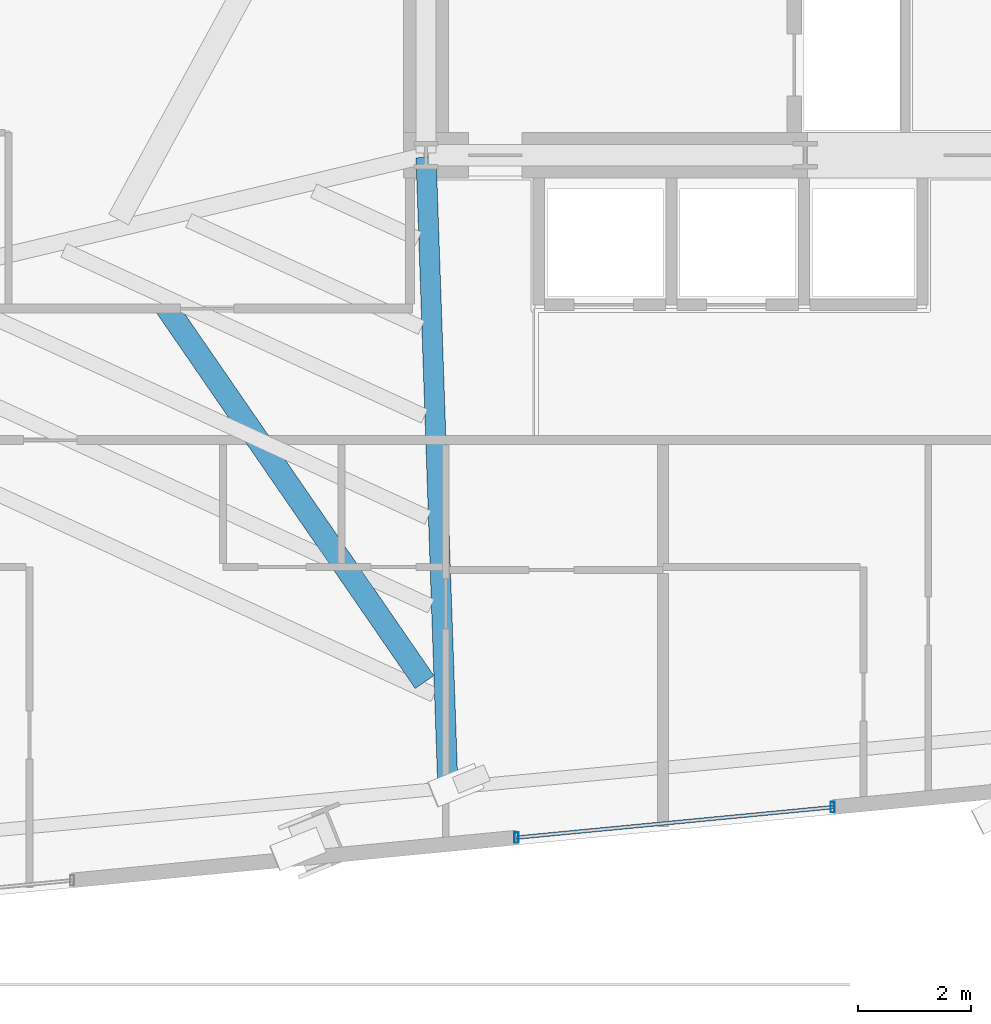
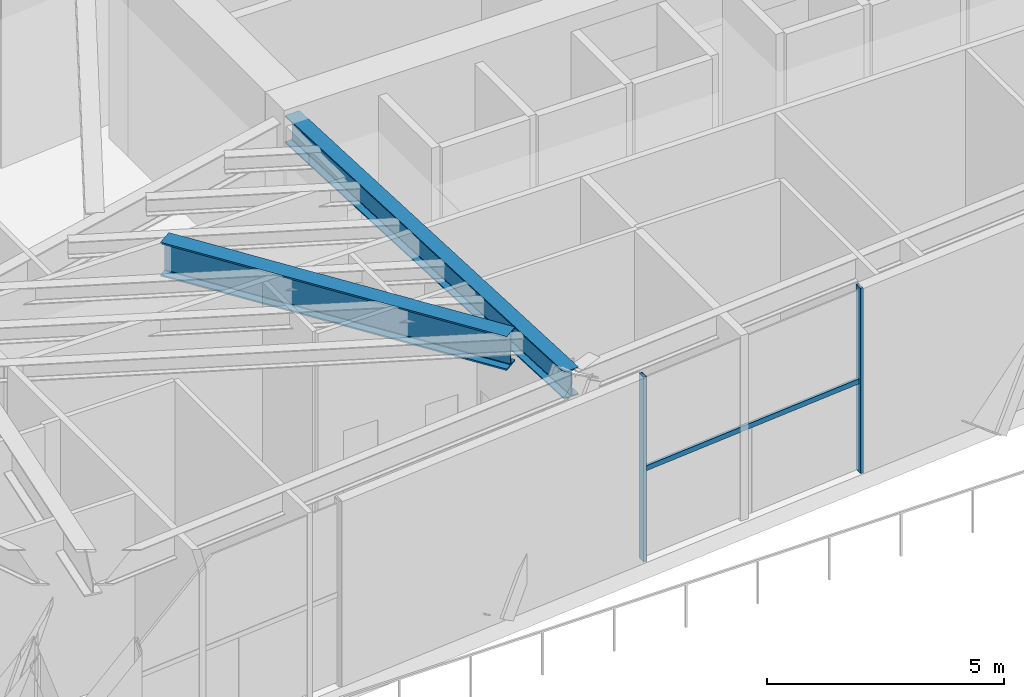
# One storey, part 4 of 28: 3 members, 2 beams, 1 element without a shape of its own.
"""IFC4 building model written with IfcOpenShell, lengths in metres."""

from ifc_helpers import new_model, si_unit, direction, frame, origin, origin_2d, place, context, subcontext, project, spatial, hollow_rectangle, i_section, extrude, source, transform, mapped, material, material_profile, profile_set, type_object, type_shapes, element, aggregate, save


model = new_model("IFC4")

# Units and contexts
model_context = context("Model", 3, precision=1e-05, world=origin(), true_north=direction((0.0, 1.0)))
body_context = subcontext(model_context, "Body", "Model", "MODEL_VIEW")
ifc_project = project(units=[si_unit("LENGTHUNIT", "METRE"), si_unit("AREAUNIT", "SQUARE_METRE"), si_unit("VOLUMEUNIT", "CUBIC_METRE"), si_unit("PLANEANGLEUNIT", "RADIAN"), si_unit("MASSUNIT", "GRAM", prefix="KILO")], contexts=[model_context])

# Site, building, storey
site_placement = place(None, origin())
site = spatial("IfcSite", under=ifc_project, at=site_placement, CompositionType="ELEMENT")
building_placement = place(site_placement, origin())
building = spatial("IfcBuilding", under=site, at=building_placement, Name="Astriad Promenade Condominiums", CompositionType="ELEMENT")
storey_placement = place(building_placement, frame((0.0, 0.0, 72.60009765625)))
storey = spatial("IfcBuildingStorey", under=building, at=storey_placement, Name="L20", CompositionType="ELEMENT", Elevation=72.60009765625)

# Beams
ifc_material_1 = material(Name="Steel ASTM A992 Grade 50", Category="steel")
ifc_material_profile_1 = material_profile(ifc_material_1, i_section(OverallWidth=0.35791015625, OverallDepth=0.706298828125, WebThickness=0.018310546875, FlangeThickness=0.0302734375, FilletRadius=0.020263671875, at=origin_2d()), Name="W27X178")
ifc_profile_set_1 = profile_set([ifc_material_profile_1], Name="Steel ASTM A992 Grade 50")
beam_type_1 = type_object("IfcBeamType", Name="STEEL FLOOR GIRDER W27X178", PredefinedType="BEAM", material=ifc_profile_set_1)
shared_shape_1 = source(origin(), body_context, "Body", "SweptSolid", [
    extrude(i_section(OverallWidth=0.35791015625, OverallDepth=0.706298828125, WebThickness=0.018310546875, FlangeThickness=0.0302734375, FilletRadius=0.020263671875, at=origin_2d()), origin(), (0.0, 0.0, 1.0), 11.14990234375),
])
type_shapes(beam_type_1, [shared_shape_1])
beam_1_placement = place(storey_placement, frame((26.7861328125, 6.216796875, 4.4267578125), z_axis=(-0.03450827845, 0.999404411997, 0.0), x_axis=(-0.999404411997, -0.03450827845, 0.0)))
element("IfcBeam", 1, at=beam_1_placement, inside=storey, type_object=beam_type_1, Name="Primary Floor Girder PG-W2-L20", PredefinedType="BEAM", context=body_context, shape_type="MappedRepresentation", body=[
    mapped(shared_shape_1, transform((0.0, 0.0, 0.0), scale=1.0)),
])
ifc_material_profile_2 = material_profile(ifc_material_1, i_section(OverallWidth=0.4013671875, OverallDepth=0.877197265625, WebThickness=0.022216796875, FlangeThickness=0.039794921875, FilletRadius=0.02294921875, at=origin_2d()), Name="W33X263")
ifc_profile_set_2 = profile_set([ifc_material_profile_2], Name="Steel ASTM A992 Grade 50")
beam_type_2 = type_object("IfcBeamType", Name="STEEL TRANSFER CARRIER GIRDER W33X263", PredefinedType="BEAM", material=ifc_profile_set_2)
shared_shape_2 = source(origin(), body_context, "Body", "SweptSolid", [
    extrude(i_section(OverallWidth=0.4013671875, OverallDepth=0.877197265625, WebThickness=0.022216796875, FlangeThickness=0.039794921875, FilletRadius=0.02294921875, at=origin_2d()), origin(), (0.0, 0.0, 1.0), 8.105224609375),
])
type_shapes(beam_type_2, [shared_shape_2])
beam_2_placement = place(storey_placement, frame((21.776123046875, 14.73876953125, 4.34130859375), z_axis=(0.567280269151, -0.82352480001, 0.0), x_axis=(0.82352480001, 0.567280269151, 0.0)))
element("IfcBeam", 2, at=beam_2_placement, inside=storey, type_object=beam_type_2, Name="Transfer Splice Carrier TRM-SP-PC02-L20", PredefinedType="BEAM", context=body_context, shape_type="MappedRepresentation", body=[
    mapped(shared_shape_2, transform((0.0, 0.0, 0.0), scale=1.0)),
])

# Curtain wall, members
ifc_material_2 = material(Name="Anodised aluminium Black Dark Glass Unitised", Category="aluminium")
curtain_wall_type = type_object("IfcCurtainWallType", Name="CW-B2-DARK", PredefinedType="USERDEFINED", material=ifc_material_2)
curtain_wall_placement = place(storey_placement, origin())
curtain_wall = element("IfcCurtainWall", 3, at=curtain_wall_placement, inside=storey, type_object=curtain_wall_type, Name="CW-L20-S-3", ObjectType="UNITISED_CURTAIN_WALL", PredefinedType="USERDEFINED")
ifc_material_3 = material(Name="Anodised aluminium 6063-T6 Black", Category="aluminium")
ifc_material_profile_3 = material_profile(ifc_material_3, hollow_rectangle(XDim=0.074951171875, YDim=0.18505859375, WallThickness=0.00439453125, at=origin_2d()), Name="ALU-MUL-75X185")
ifc_profile_set_3 = profile_set([ifc_material_profile_3], Name="Anodised aluminium 6063-T6 Black")
member_type_1 = type_object("IfcMemberType", Name="MUL-ALU-MUL-75X185", PredefinedType="MULLION", material=ifc_profile_set_3)
shared_shape_3 = source(origin(), body_context, "Body", "SweptSolid", [
    extrude(hollow_rectangle(XDim=0.074951171875, YDim=0.18505859375, WallThickness=0.00439453125, at=origin_2d()), origin(), (0.0, 0.0, 1.0), 4.77978515625),
])
type_shapes(member_type_1, [shared_shape_3])
member_1_placement = place(storey_placement, frame((33.606201171875, 5.845703125, 0.0), z_axis=(0.0, 0.0, 1.0), x_axis=(1.0, 0.0, 0.0)))
member_1 = element("IfcMember", 4, at=member_1_placement, type_object=member_type_1, Name="CW-L20-S-3-MUL-00", PredefinedType="MULLION", context=body_context, shape_type="MappedRepresentation", body=[
    mapped(shared_shape_3, transform((0.0, 0.0, 0.0), scale=1.0)),
])
member_2_placement = place(storey_placement, frame((28.002197265625, 5.30615234375, 0.0), z_axis=(0.0, 0.0, 1.0), x_axis=(1.0, 0.0, 0.0)))
member_2 = element("IfcMember", 5, at=member_2_placement, type_object=member_type_1, Name="CW-L20-S-3-MUL-01", PredefinedType="MULLION", context=body_context, shape_type="MappedRepresentation", body=[
    mapped(shared_shape_3, transform((0.0, 0.0, 0.0), scale=1.0)),
])
ifc_material_profile_4 = material_profile(ifc_material_3, hollow_rectangle(XDim=0.06494140625, YDim=0.1298828125, WallThickness=0.00390625, at=origin_2d()), Name="ALU-TRN-65X130")
ifc_profile_set_4 = profile_set([ifc_material_profile_4], Name="Anodised aluminium 6063-T6 Black")
member_type_2 = type_object("IfcMemberType", Name="TRN-ALU-TRN-65X130", PredefinedType="USERDEFINED", material=ifc_profile_set_4)
shared_shape_4 = source(origin(), body_context, "Body", "SweptSolid", [
    extrude(hollow_rectangle(XDim=0.06494140625, YDim=0.1298828125, WallThickness=0.00390625, at=origin_2d()), origin(), (0.0, 0.0, 1.0), 5.6298828125),
])
type_shapes(member_type_2, [shared_shape_4])
member_3_placement = place(storey_placement, frame((33.606201171875, 5.845703125, 2.349853515625), z_axis=(-0.995397103594, -0.095836350917, 0.0), x_axis=(0.095836350917, -0.995397103594, 0.0)))
member_3 = element("IfcMember", 6, at=member_3_placement, type_object=member_type_2, Name="CW-L20-S-3-TRN-00-0", ObjectType="TRANSOM", PredefinedType="USERDEFINED", context=body_context, shape_type="MappedRepresentation", body=[
    mapped(shared_shape_4, transform((0.0, 0.0, 0.0), scale=1.0)),
])
aggregate(curtain_wall, [member_1, member_2, member_3])

save(model, "model.ifc")
